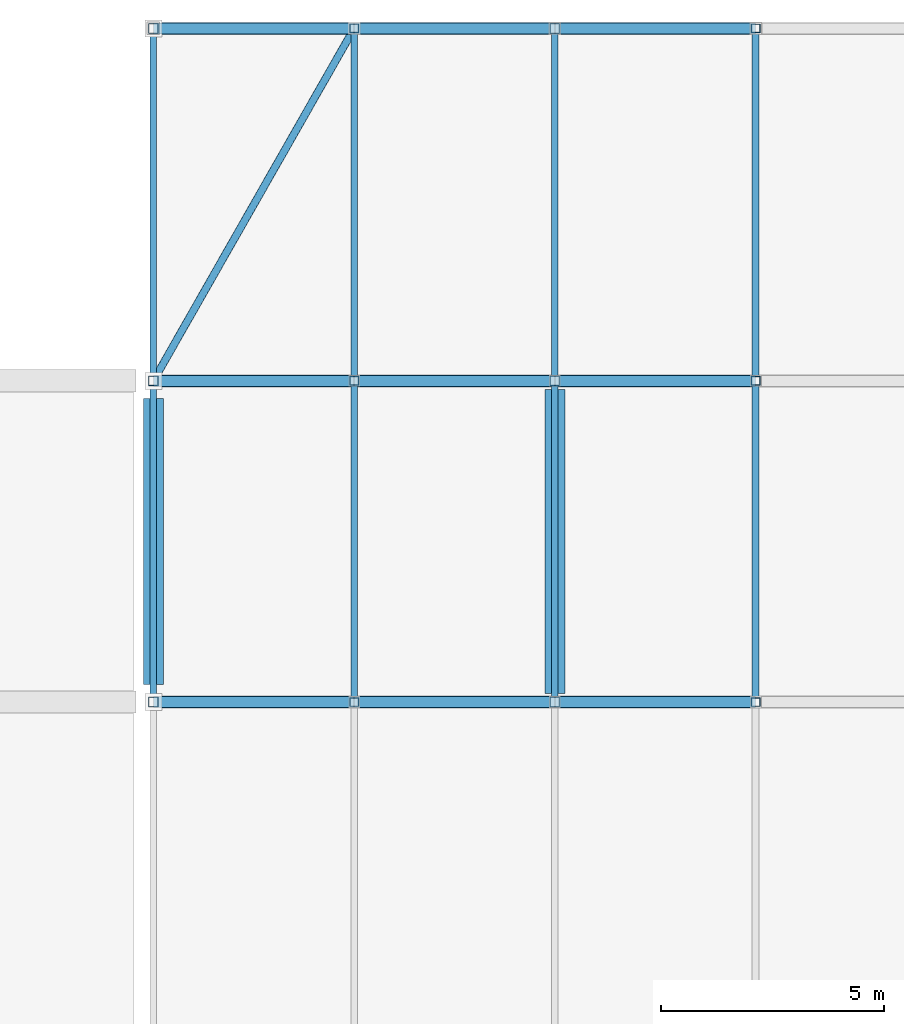
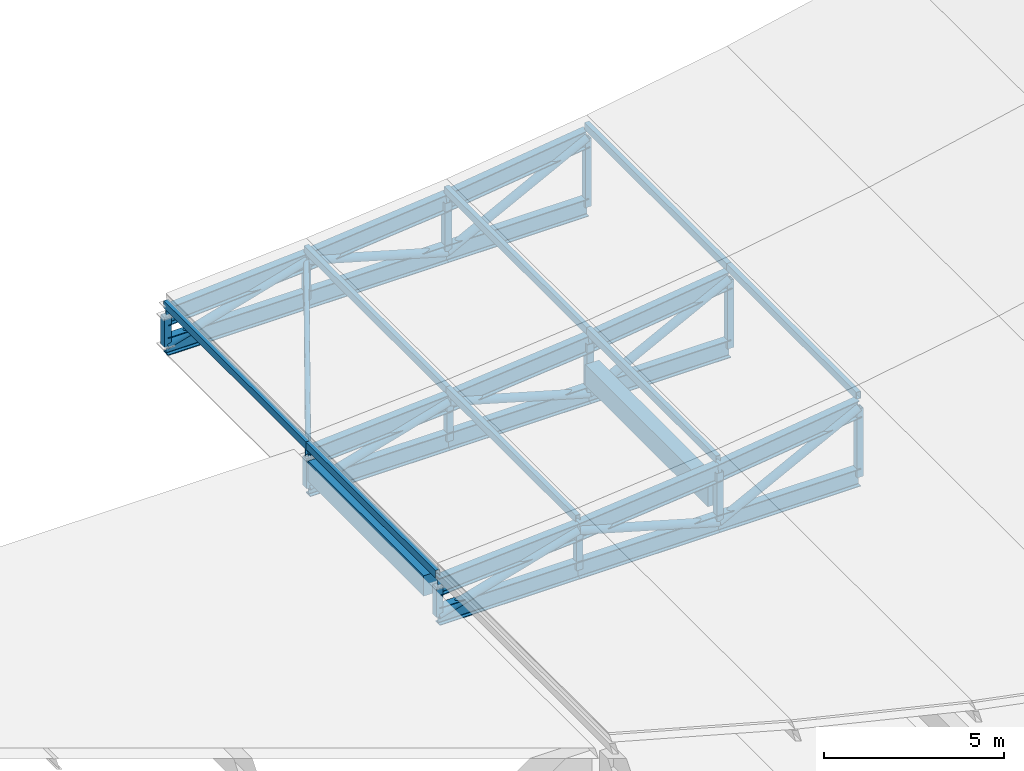
# One storey, part 15 of 24: 30 members, 20 beams.
"""IFC4 building model written with IfcOpenShell, lengths in metres."""

import ifcopenshell
import ifcopenshell.guid

model = None  # the IFC model being written
_history = None  # IfcOwnerHistory: only IFC2X3 demands one
_inside = {}  # id of a spatial element -> (the spatial element, [elements in it])
_under = {}  # id of a project, library or spatial element -> (it, [spatial elements below it])
_declared = {}  # id of a project -> (the project, [libraries it declares])
_typed = {}  # id of a type object -> (the type object, [elements of that type])
_made_of = {}  # id of a material, layer set ... -> (it, [elements and type objects made of it])


def new_model(schema):
    """Start an empty IFC model of exactly this schema.

    Asked for "IFC4X3", IfcOpenShell would pick the latest addendum, in which some entities
    have other attributes; the version numbers below select the first issue.
    IFC2X3 requires an IfcOwnerHistory on every rooted entity: one is made here for all.
    """
    global model, _history
    if schema == "IFC4X3":
        model = ifcopenshell.file(schema_version=(4, 3, 0, 0))
    else:
        model = ifcopenshell.file(schema=schema)
    _inside.clear()
    _under.clear()
    _declared.clear()
    _typed.clear()
    _made_of.clear()
    _history = None
    if model.schema == "IFC2X3":
        org = make("IfcOrganization", Name="unknown")
        user = make(
            "IfcPersonAndOrganization",
            ThePerson=make("IfcPerson", FamilyName="unknown"),
            TheOrganization=org,
        )
        app = make(
            "IfcApplication",
            ApplicationDeveloper=org,
            Version="unknown",
            ApplicationFullName="unknown",
            ApplicationIdentifier="unknown",
        )
        _history = make(
            "IfcOwnerHistory",
            OwningUser=user,
            OwningApplication=app,
            ChangeAction="ADDED",
            CreationDate=0,
        )
    return model


def make(cls, **values):
    """One entity of the class cls with the attributes given. An attribute that is None is left unset."""
    return model.create_entity(
        cls, **{name: value for name, value in values.items() if value is not None}
    )


def rooted(cls, **values):
    """An entity with a GlobalId (a new one), such as an element, a storey or a relation."""
    return make(cls, GlobalId=ifcopenshell.guid.new(), OwnerHistory=_history, **values)


def si_unit(unit_type, name, prefix=None):
    """IfcSIUnit, for example si_unit("LENGTHUNIT", "METRE", prefix="MILLI")."""
    return make("IfcSIUnit", UnitType=unit_type, Prefix=prefix, Name=name)


def assignment(units):
    """IfcUnitAssignment: the units of a project."""
    return None if units is None else make("IfcUnitAssignment", Units=units)


def point(xyz):
    """IfcCartesianPoint."""
    return None if xyz is None else make("IfcCartesianPoint", Coordinates=xyz)


def direction(xyz):
    """IfcDirection."""
    return None if xyz is None else make("IfcDirection", DirectionRatios=xyz)


def frame(location, z_axis=None, x_axis=None):
    """IfcAxis2Placement3D, a coordinate frame: its origin and axes. An axis left out is left unset."""
    return make(
        "IfcAxis2Placement3D",
        Location=point(location),
        Axis=direction(z_axis),
        RefDirection=direction(x_axis),
    )


def frame_2d(location, x_axis=None):
    """IfcAxis2Placement2D, a coordinate frame in the plane: its origin and x axis."""
    return make(
        "IfcAxis2Placement2D", Location=point(location), RefDirection=direction(x_axis)
    )


def origin():
    """The frame at (0, 0, 0) with its axes left unset."""
    return frame((0.0, 0.0, 0.0))


def origin_2d():
    """The frame at (0, 0) in the plane with its x axis left unset."""
    return frame_2d((0.0, 0.0))


def place(relative_to, where):
    """IfcLocalPlacement: puts the frame where relative to a parent placement (None: the world)."""
    return make(
        "IfcLocalPlacement", PlacementRelTo=relative_to, RelativePlacement=where
    )


def context(
    kind, dimensions, precision=None, world=None, true_north=None, identifier=None
):
    """IfcGeometricRepresentationContext, for example the 3D "Model" context."""
    return make(
        "IfcGeometricRepresentationContext",
        ContextIdentifier=identifier,
        ContextType=kind,
        CoordinateSpaceDimension=dimensions,
        Precision=precision,
        WorldCoordinateSystem=world,
        TrueNorth=true_north,
    )


def subcontext(parent, identifier, kind, view, scale=None):
    """IfcGeometricRepresentationSubContext, for example "Body" below "Model"."""
    return make(
        "IfcGeometricRepresentationSubContext",
        ContextIdentifier=identifier,
        ContextType=kind,
        ParentContext=parent,
        TargetScale=scale,
        TargetView=view,
    )


def project(units=None, contexts=None):
    """IfcProject with its units and contexts."""
    return rooted(
        "IfcProject",
        Name="project",
        RepresentationContexts=contexts,
        UnitsInContext=assignment(units),
    )


def spatial(cls, under=None, at=None, **own):
    """A site, building, storey or space (cls), placed at a placement, below another one or the project."""
    s = rooted(cls, ObjectPlacement=at, **own)
    if under is not None:
        _under.setdefault(under.id(), (under, []))[1].append(s)
    return s


def profile(cls, at=None, kind="AREA", **sizes):
    """A parametric profile (cls). Its sizes go by their IFC names, for example OverallWidth=200.0."""
    return make(cls, ProfileType=kind, Position=at, **sizes)


def rectangle(**sizes):
    """IfcRectangleProfileDef."""
    return profile("IfcRectangleProfileDef", **sizes)


def hollow_rectangle(**sizes):
    """IfcRectangleHollowProfileDef."""
    return profile("IfcRectangleHollowProfileDef", **sizes)


def hollow_circle(**sizes):
    """IfcCircleHollowProfileDef."""
    return profile("IfcCircleHollowProfileDef", **sizes)


def i_section(**sizes):
    """IfcIShapeProfileDef."""
    return profile("IfcIShapeProfileDef", **sizes)


def extrude(swept, where, along, depth):
    """IfcExtrudedAreaSolid: the profile swept, set in the frame where, extruded along a direction by depth."""
    return make(
        "IfcExtrudedAreaSolid",
        SweptArea=swept,
        Position=where,
        ExtrudedDirection=direction(along),
        Depth=depth,
    )


def shape(context_of_items, identifier, shape_type, items):
    """IfcShapeRepresentation: the items that make up one representation, for example the "Body"."""
    return make(
        "IfcShapeRepresentation",
        ContextOfItems=context_of_items,
        RepresentationIdentifier=identifier,
        RepresentationType=shape_type,
        Items=items,
    )


def material(Name=None, Category=None):
    """IfcMaterial."""
    return make("IfcMaterial", Name=Name, Category=Category)


def material_profile(
    of_material, cross_section, Name=None, Category=None, Priority=None
):
    """IfcMaterialProfile: a cross section and its material."""
    return make(
        "IfcMaterialProfile",
        Name=Name,
        Material=of_material,
        Profile=cross_section,
        Priority=Priority,
        Category=Category,
    )


def profile_set(profiles, Name=None, composite=None):
    """IfcMaterialProfileSet."""
    return make(
        "IfcMaterialProfileSet",
        Name=Name,
        MaterialProfiles=profiles,
        CompositeProfile=composite,
    )


def made_of(thing, what):
    """Note that an element or type object is made of a material, layer set ...; save() writes the relation."""
    if what is not None:
        _made_of.setdefault(what.id(), (what, []))[1].append(thing)
    return thing


def type_object(cls, material=None, **own):
    """A type object (cls), such as IfcWallType, which elements share."""
    return made_of(rooted(cls, **own), material)


def element(
    cls,
    number,
    at=None,
    inside=None,
    cuts=None,
    type_object=None,
    material=None,
    context=None,
    identifier="Body",
    shape_type=None,
    held_by="IfcProductDefinitionShape",
    body=None,
    shapes=None,
    **own,
):
    """One element of the class cls, such as IfcWall. Its Tag is "e" and its number.

    at: its placement. inside: the storey or other place that contains it. cuts: it is an
    opening in that element (IfcRelVoidsElement). A single representation is given by context,
    identifier, shape_type and body (its items); several are given by shapes. held_by: the class
    of the entity that holds the representations. save() writes the other relations.
    """
    e = rooted(cls, Tag="e%d" % number, ObjectPlacement=at, **own)
    if body is not None:
        shapes = [shape(context, identifier, shape_type, body)]
    if shapes is not None:
        e.Representation = make(held_by, Representations=shapes)
    if inside is not None:
        _inside.setdefault(inside.id(), (inside, []))[1].append(e)
    if cuts is not None:
        rooted(
            "IfcRelVoidsElement", RelatingBuildingElement=cuts, RelatedOpeningElement=e
        )
    if type_object is not None:
        _typed.setdefault(type_object.id(), (type_object, []))[1].append(e)
    return made_of(e, material)


def aggregate(whole, parts):
    """IfcRelAggregates: a whole, such as a stair, and the parts it consists of."""
    return rooted("IfcRelAggregates", RelatingObject=whole, RelatedObjects=parts)


def save(model, path):
    """Write the relations noted so far, then the file.

    IfcRelAggregates (storeys below a building ...), IfcRelContainedInSpatialStructure (elements
    in a storey), IfcRelDefinesByType, IfcRelAssociatesMaterial and IfcRelDeclares: one each for
    every whole, place, type object, material and project.
    """
    for whole, parts in _under.values():
        aggregate(whole, parts)
    for where, things in _inside.values():
        rooted(
            "IfcRelContainedInSpatialStructure",
            RelatedElements=things,
            RelatingStructure=where,
        )
    for kind, things in _typed.values():
        rooted("IfcRelDefinesByType", RelatedObjects=things, RelatingType=kind)
    for what, things in _made_of.values():
        rooted("IfcRelAssociatesMaterial", RelatedObjects=things, RelatingMaterial=what)
    for by, libraries in _declared.values():
        rooted("IfcRelDeclares", RelatingContext=by, RelatedDefinitions=libraries)
    model.write(path)


model = new_model("IFC4")

# Units and contexts
model_context = context("Model", 3, precision=1e-05, world=origin(), true_north=direction((0.0, 1.0)))
body_context = subcontext(model_context, "Body", "Model", "MODEL_VIEW")
ifc_project = project(units=[si_unit("LENGTHUNIT", "METRE"), si_unit("AREAUNIT", "SQUARE_METRE"), si_unit("VOLUMEUNIT", "CUBIC_METRE"), si_unit("PLANEANGLEUNIT", "RADIAN"), si_unit("MASSUNIT", "GRAM", prefix="KILO"), si_unit("THERMODYNAMICTEMPERATUREUNIT", "KELVIN"), si_unit("POWERUNIT", "WATT")], contexts=[model_context])

# Site, building, storey
site_placement = place(None, origin())
site = spatial("IfcSite", under=ifc_project, at=site_placement, CompositionType="ELEMENT")
building_placement = place(site_placement, origin())
building = spatial("IfcBuilding", under=site, at=building_placement, Name="Sindhuravela Promenade Stadium", CompositionType="ELEMENT")
storey_placement = place(building_placement, frame((0.0, 0.0, 28.800048828125)))
storey = spatial("IfcBuildingStorey", under=building, at=storey_placement, Name="RF", CompositionType="ELEMENT", Elevation=28.800048828125)

# Beams
ifc_material_1 = material(Name="Concrete M40", Category="concrete")
ifc_material_profile_1 = material_profile(ifc_material_1, rectangle(XDim=0.449951171875, YDim=0.699951171875, at=origin_2d()), Name="RC 450x700")
ifc_profile_set_1 = profile_set([ifc_material_profile_1], Name="Concrete M40")
beam_type_1 = type_object("IfcBeamType", Name="RC-BM-450x700", PredefinedType="BEAM", material=ifc_profile_set_1)
beam_1_placement = place(storey_placement, frame((18.0, 110.18994140625, -0.590087890625), z_axis=(0.0, 1.0, 0.0), x_axis=(-1.0, 0.0, 0.0)))
element("IfcBeam", 1, at=beam_1_placement, inside=storey, type_object=beam_type_1, Name="Primary beam GB07 WEST RF", PredefinedType="BEAM", context=body_context, shape_type="SweptSolid", body=[
    extrude(rectangle(XDim=0.449951171875, YDim=0.699951171875, at=origin_2d()), origin(), (0.0, 0.0, 1.0), 6.420166015625),
])
beam_2_placement = place(storey_placement, frame((27.0, 109.9931640625, -0.590087890625), z_axis=(0.0, 1.0, 0.0), x_axis=(-1.0, 0.0, 0.0)))
element("IfcBeam", 2, at=beam_2_placement, inside=storey, type_object=beam_type_1, Name="Primary beam GB07 WEST RF", PredefinedType="BEAM", context=body_context, shape_type="SweptSolid", body=[
    extrude(rectangle(XDim=0.449951171875, YDim=0.699951171875, at=origin_2d()), origin(), (0.0, 0.0, 1.0), 6.813720703125),
])
ifc_material_2 = material(Name="Steel E350 (IS 2062 E350BR)", Category="steel")
ifc_material_profile_2 = material_profile(ifc_material_2, i_section(OverallWidth=0.25, OverallDepth=0.60009765625, WebThickness=0.01171875, FlangeThickness=0.023681640625, FilletRadius=0.01708984375, at=origin_2d()), Name="ISWB 600")
ifc_profile_set_2 = profile_set([ifc_material_profile_2], Name="Steel E350 (IS 2062 E350BR)")
beam_type_2 = type_object("IfcBeamType", Name="ST-BM-WB600", PredefinedType="USERDEFINED", material=ifc_profile_set_2)
beam_3_placement = place(storey_placement, frame((18.0, 109.800048828125, -0.400146484375), z_axis=(0.9978804116779728, 0.0, 0.06507444958967683), x_axis=(0.0, 1.0, 0.0)))
element("IfcBeam", 3, at=beam_3_placement, inside=storey, type_object=beam_type_2, Name="Roof truss RT-W07 top chord 1", ObjectType="ROOF TRUSS", PredefinedType="USERDEFINED", context=body_context, shape_type="SweptSolid", body=[
    extrude(i_section(OverallWidth=0.25, OverallDepth=0.60009765625, WebThickness=0.01171875, FlangeThickness=0.023681640625, FilletRadius=0.01708984375, at=origin_2d()), origin(), (0.0, 0.0, 1.0), 4.509521484375),
])
beam_4_placement = place(storey_placement, frame((18.0, 109.800048828125, -1.400146484375), z_axis=(1.0, 0.0, 0.0), x_axis=(0.0, 1.0, 0.0)))
element("IfcBeam", 4, at=beam_4_placement, inside=storey, type_object=beam_type_2, Name="Roof truss RT-W07 bottom chord 1", ObjectType="ROOF TRUSS", PredefinedType="USERDEFINED", context=body_context, shape_type="SweptSolid", body=[
    extrude(i_section(OverallWidth=0.25, OverallDepth=0.60009765625, WebThickness=0.01171875, FlangeThickness=0.023681640625, FilletRadius=0.01708984375, at=origin_2d()), origin(), (0.0, 0.0, 1.0), 4.5),
])
beam_5_placement = place(storey_placement, frame((22.5, 109.800048828125, -0.106689453125), z_axis=(0.9953538541007115, 0.0, 0.09628450096905213), x_axis=(0.0, 1.0, 0.0)))
element("IfcBeam", 5, at=beam_5_placement, inside=storey, type_object=beam_type_2, Name="Roof truss RT-W07 top chord 2", ObjectType="ROOF TRUSS", PredefinedType="USERDEFINED", context=body_context, shape_type="SweptSolid", body=[
    extrude(i_section(OverallWidth=0.25, OverallDepth=0.60009765625, WebThickness=0.01171875, FlangeThickness=0.023681640625, FilletRadius=0.01708984375, at=origin_2d()), origin(), (0.0, 0.0, 1.0), 4.52099609375),
])
beam_6_placement = place(storey_placement, frame((22.5, 109.800048828125, -1.400146484375), z_axis=(1.0, 0.0, 0.0), x_axis=(0.0, 1.0, 0.0)))
element("IfcBeam", 6, at=beam_6_placement, inside=storey, type_object=beam_type_2, Name="Roof truss RT-W07 bottom chord 2", ObjectType="ROOF TRUSS", PredefinedType="USERDEFINED", context=body_context, shape_type="SweptSolid", body=[
    extrude(i_section(OverallWidth=0.25, OverallDepth=0.60009765625, WebThickness=0.01171875, FlangeThickness=0.023681640625, FilletRadius=0.01708984375, at=origin_2d()), origin(), (0.0, 0.0, 1.0), 4.5),
])
beam_7_placement = place(storey_placement, frame((27.0, 109.800048828125, 0.32861328125), z_axis=(0.9915324824363395, 0.0, 0.12985890910380443), x_axis=(0.0, 1.0, 0.0)))
element("IfcBeam", 7, at=beam_7_placement, inside=storey, type_object=beam_type_2, Name="Roof truss RT-W07 top chord 3", ObjectType="ROOF TRUSS", PredefinedType="USERDEFINED", context=body_context, shape_type="SweptSolid", body=[
    extrude(i_section(OverallWidth=0.25, OverallDepth=0.60009765625, WebThickness=0.01171875, FlangeThickness=0.023681640625, FilletRadius=0.01708984375, at=origin_2d()), origin(), (0.0, 0.0, 1.0), 4.538330078125),
])
beam_8_placement = place(storey_placement, frame((27.0, 109.800048828125, -1.400146484375), z_axis=(1.0, 0.0, 0.0), x_axis=(0.0, 1.0, 0.0)))
element("IfcBeam", 8, at=beam_8_placement, inside=storey, type_object=beam_type_2, Name="Roof truss RT-W07 bottom chord 3", ObjectType="ROOF TRUSS", PredefinedType="USERDEFINED", context=body_context, shape_type="SweptSolid", body=[
    extrude(i_section(OverallWidth=0.25, OverallDepth=0.60009765625, WebThickness=0.01171875, FlangeThickness=0.023681640625, FilletRadius=0.01708984375, at=origin_2d()), origin(), (0.0, 0.0, 1.0), 4.5),
])
beam_9_placement = place(storey_placement, frame((18.0, 117.0, -0.400146484375), z_axis=(0.9978804116779728, 0.0, 0.06507444958967683), x_axis=(0.0, 1.0, 0.0)))
element("IfcBeam", 9, at=beam_9_placement, inside=storey, type_object=beam_type_2, Name="Roof truss RT-W08 top chord 1", ObjectType="ROOF TRUSS", PredefinedType="USERDEFINED", context=body_context, shape_type="SweptSolid", body=[
    extrude(i_section(OverallWidth=0.25, OverallDepth=0.60009765625, WebThickness=0.01171875, FlangeThickness=0.023681640625, FilletRadius=0.01708984375, at=origin_2d()), origin(), (0.0, 0.0, 1.0), 4.509521484375),
])
beam_10_placement = place(storey_placement, frame((18.0, 117.0, -1.400146484375), z_axis=(1.0, 0.0, 0.0), x_axis=(0.0, 1.0, 0.0)))
element("IfcBeam", 10, at=beam_10_placement, inside=storey, type_object=beam_type_2, Name="Roof truss RT-W08 bottom chord 1", ObjectType="ROOF TRUSS", PredefinedType="USERDEFINED", context=body_context, shape_type="SweptSolid", body=[
    extrude(i_section(OverallWidth=0.25, OverallDepth=0.60009765625, WebThickness=0.01171875, FlangeThickness=0.023681640625, FilletRadius=0.01708984375, at=origin_2d()), origin(), (0.0, 0.0, 1.0), 4.5),
])
beam_11_placement = place(storey_placement, frame((22.5, 117.0, -0.106689453125), z_axis=(0.9953538541007115, 0.0, 0.09628450096905213), x_axis=(0.0, 1.0, 0.0)))
element("IfcBeam", 11, at=beam_11_placement, inside=storey, type_object=beam_type_2, Name="Roof truss RT-W08 top chord 2", ObjectType="ROOF TRUSS", PredefinedType="USERDEFINED", context=body_context, shape_type="SweptSolid", body=[
    extrude(i_section(OverallWidth=0.25, OverallDepth=0.60009765625, WebThickness=0.01171875, FlangeThickness=0.023681640625, FilletRadius=0.01708984375, at=origin_2d()), origin(), (0.0, 0.0, 1.0), 4.52099609375),
])
beam_12_placement = place(storey_placement, frame((22.5, 117.0, -1.400146484375), z_axis=(1.0, 0.0, 0.0), x_axis=(0.0, 1.0, 0.0)))
element("IfcBeam", 12, at=beam_12_placement, inside=storey, type_object=beam_type_2, Name="Roof truss RT-W08 bottom chord 2", ObjectType="ROOF TRUSS", PredefinedType="USERDEFINED", context=body_context, shape_type="SweptSolid", body=[
    extrude(i_section(OverallWidth=0.25, OverallDepth=0.60009765625, WebThickness=0.01171875, FlangeThickness=0.023681640625, FilletRadius=0.01708984375, at=origin_2d()), origin(), (0.0, 0.0, 1.0), 4.5),
])
beam_13_placement = place(storey_placement, frame((27.0, 117.0, 0.32861328125), z_axis=(0.9915324824363395, 0.0, 0.12985890910380443), x_axis=(0.0, 1.0, 0.0)))
element("IfcBeam", 13, at=beam_13_placement, inside=storey, type_object=beam_type_2, Name="Roof truss RT-W08 top chord 3", ObjectType="ROOF TRUSS", PredefinedType="USERDEFINED", context=body_context, shape_type="SweptSolid", body=[
    extrude(i_section(OverallWidth=0.25, OverallDepth=0.60009765625, WebThickness=0.01171875, FlangeThickness=0.023681640625, FilletRadius=0.01708984375, at=origin_2d()), origin(), (0.0, 0.0, 1.0), 4.538330078125),
])
beam_14_placement = place(storey_placement, frame((27.0, 117.0, -1.400146484375), z_axis=(1.0, 0.0, 0.0), x_axis=(0.0, 1.0, 0.0)))
element("IfcBeam", 14, at=beam_14_placement, inside=storey, type_object=beam_type_2, Name="Roof truss RT-W08 bottom chord 3", ObjectType="ROOF TRUSS", PredefinedType="USERDEFINED", context=body_context, shape_type="SweptSolid", body=[
    extrude(i_section(OverallWidth=0.25, OverallDepth=0.60009765625, WebThickness=0.01171875, FlangeThickness=0.023681640625, FilletRadius=0.01708984375, at=origin_2d()), origin(), (0.0, 0.0, 1.0), 4.5),
])
beam_15_placement = place(storey_placement, frame((18.0, 124.89990234375, -0.400146484375), z_axis=(0.9978804116779728, 0.0, 0.06507444958967683), x_axis=(0.0, 1.0, 0.0)))
element("IfcBeam", 15, at=beam_15_placement, inside=storey, type_object=beam_type_2, Name="Roof truss RT-W09 top chord 1", ObjectType="ROOF TRUSS", PredefinedType="USERDEFINED", context=body_context, shape_type="SweptSolid", body=[
    extrude(i_section(OverallWidth=0.25, OverallDepth=0.60009765625, WebThickness=0.01171875, FlangeThickness=0.023681640625, FilletRadius=0.01708984375, at=origin_2d()), origin(), (0.0, 0.0, 1.0), 4.509521484375),
])
beam_16_placement = place(storey_placement, frame((18.0, 124.89990234375, -1.400146484375), z_axis=(1.0, 0.0, 0.0), x_axis=(0.0, 1.0, 0.0)))
element("IfcBeam", 16, at=beam_16_placement, inside=storey, type_object=beam_type_2, Name="Roof truss RT-W09 bottom chord 1", ObjectType="ROOF TRUSS", PredefinedType="USERDEFINED", context=body_context, shape_type="SweptSolid", body=[
    extrude(i_section(OverallWidth=0.25, OverallDepth=0.60009765625, WebThickness=0.01171875, FlangeThickness=0.023681640625, FilletRadius=0.01708984375, at=origin_2d()), origin(), (0.0, 0.0, 1.0), 4.5),
])
beam_17_placement = place(storey_placement, frame((22.5, 124.89990234375, -0.106689453125), z_axis=(0.9953538541007115, 0.0, 0.09628450096905213), x_axis=(0.0, 1.0, 0.0)))
element("IfcBeam", 17, at=beam_17_placement, inside=storey, type_object=beam_type_2, Name="Roof truss RT-W09 top chord 2", ObjectType="ROOF TRUSS", PredefinedType="USERDEFINED", context=body_context, shape_type="SweptSolid", body=[
    extrude(i_section(OverallWidth=0.25, OverallDepth=0.60009765625, WebThickness=0.01171875, FlangeThickness=0.023681640625, FilletRadius=0.01708984375, at=origin_2d()), origin(), (0.0, 0.0, 1.0), 4.52099609375),
])
beam_18_placement = place(storey_placement, frame((22.5, 124.89990234375, -1.400146484375), z_axis=(1.0, 0.0, 0.0), x_axis=(0.0, 1.0, 0.0)))
element("IfcBeam", 18, at=beam_18_placement, inside=storey, type_object=beam_type_2, Name="Roof truss RT-W09 bottom chord 2", ObjectType="ROOF TRUSS", PredefinedType="USERDEFINED", context=body_context, shape_type="SweptSolid", body=[
    extrude(i_section(OverallWidth=0.25, OverallDepth=0.60009765625, WebThickness=0.01171875, FlangeThickness=0.023681640625, FilletRadius=0.01708984375, at=origin_2d()), origin(), (0.0, 0.0, 1.0), 4.5),
])
beam_19_placement = place(storey_placement, frame((27.0, 124.89990234375, 0.32861328125), z_axis=(0.9915324824363395, 0.0, 0.12985890910380443), x_axis=(0.0, 1.0, 0.0)))
element("IfcBeam", 19, at=beam_19_placement, inside=storey, type_object=beam_type_2, Name="Roof truss RT-W09 top chord 3", ObjectType="ROOF TRUSS", PredefinedType="USERDEFINED", context=body_context, shape_type="SweptSolid", body=[
    extrude(i_section(OverallWidth=0.25, OverallDepth=0.60009765625, WebThickness=0.01171875, FlangeThickness=0.023681640625, FilletRadius=0.01708984375, at=origin_2d()), origin(), (0.0, 0.0, 1.0), 4.538330078125),
])
beam_20_placement = place(storey_placement, frame((27.0, 124.89990234375, -1.400146484375), z_axis=(1.0, 0.0, 0.0), x_axis=(0.0, 1.0, 0.0)))
element("IfcBeam", 20, at=beam_20_placement, inside=storey, type_object=beam_type_2, Name="Roof truss RT-W09 bottom chord 3", ObjectType="ROOF TRUSS", PredefinedType="USERDEFINED", context=body_context, shape_type="SweptSolid", body=[
    extrude(i_section(OverallWidth=0.25, OverallDepth=0.60009765625, WebThickness=0.01171875, FlangeThickness=0.023681640625, FilletRadius=0.01708984375, at=origin_2d()), origin(), (0.0, 0.0, 1.0), 4.5),
])

# Members
ifc_material_profile_3 = material_profile(ifc_material_2, hollow_circle(Radius=0.084228515625, WallThickness=0.008056640625, at=origin_2d()), Name="CHS 168.3x8")
ifc_profile_set_3 = profile_set([ifc_material_profile_3], Name="Steel E350 (IS 2062 E350BR)")
member_type_1 = type_object("IfcMemberType", Name="ST-MB-CHS168", PredefinedType="BRACE", material=ifc_profile_set_3)
member_1_placement = place(storey_placement, frame((18.0, 117.0, -0.400146484375), z_axis=(0.49470095801059943, 0.86846427947629, 0.032260772109849206), x_axis=(-0.8689165628650795, 0.4949585909737667, 0.0)))
element("IfcMember", 21, at=member_1_placement, inside=storey, type_object=member_type_1, Name="Roof wind brace MB03 W bay 8", PredefinedType="BRACE", context=body_context, shape_type="SweptSolid", body=[
    extrude(hollow_circle(Radius=0.084228515625, WallThickness=0.008056640625, at=origin_2d()), origin(), (0.0, 0.0, 1.0), 9.096435546875),
])
ifc_material_profile_4 = material_profile(ifc_material_2, hollow_circle(Radius=0.136474609375, WallThickness=0.010009765625, at=origin_2d()), Name="CHS 273.0x10")
ifc_profile_set_4 = profile_set([ifc_material_profile_4], Name="Steel E350 (IS 2062 E350BR)")
member_type_2 = type_object("IfcMemberType", Name="ST-MB-CHS273", PredefinedType="BRACE", material=ifc_profile_set_4)
for number, where, z_axis, x_axis, name in (
    (22, (18.0, 109.800048828125, -1.400146484375), (0.9610859178775457, 0.0, 0.2762496306920159), (0.0, 1.0, 0.0), "Roof truss RT-W07 diagonal web 1"),
    (23, (22.5, 109.800048828125, -0.106689453125), (0.9610859178775457, 0.0, -0.2762496306920159), (0.0, 1.0, 0.0), "Roof truss RT-W07 diagonal web 2"),
):
    element("IfcMember", number, at=place(storey_placement, frame(where, z_axis=z_axis, x_axis=x_axis)), inside=storey, type_object=member_type_2, Name=name, PredefinedType="BRACE", context=body_context, shape_type="SweptSolid", body=[
        extrude(hollow_circle(Radius=0.136474609375, WallThickness=0.010009765625, at=origin_2d()), origin(), (0.0, 0.0, 1.0), 4.68212890625),
    ])
member_2_placement = place(storey_placement, frame((27.0, 109.800048828125, -1.400146484375), z_axis=(0.8889799113932431, 0.0, 0.457946194589781), x_axis=(0.0, 1.0, 0.0)))
element("IfcMember", 24, at=member_2_placement, inside=storey, type_object=member_type_2, Name="Roof truss RT-W07 diagonal web 3", PredefinedType="BRACE", context=body_context, shape_type="SweptSolid", body=[
    extrude(hollow_circle(Radius=0.136474609375, WallThickness=0.010009765625, at=origin_2d()), origin(), (0.0, 0.0, 1.0), 5.06201171875),
])
for number, where, z_axis, x_axis, name in (
    (25, (18.0, 117.0, -1.400146484375), (0.9610859178775457, 0.0, 0.2762496306920159), (0.0, 1.0, 0.0), "Roof truss RT-W08 diagonal web 1"),
    (26, (22.5, 117.0, -0.106689453125), (0.9610859178775457, 0.0, -0.2762496306920159), (0.0, 1.0, 0.0), "Roof truss RT-W08 diagonal web 2"),
):
    element("IfcMember", number, at=place(storey_placement, frame(where, z_axis=z_axis, x_axis=x_axis)), inside=storey, type_object=member_type_2, Name=name, PredefinedType="BRACE", context=body_context, shape_type="SweptSolid", body=[
        extrude(hollow_circle(Radius=0.136474609375, WallThickness=0.010009765625, at=origin_2d()), origin(), (0.0, 0.0, 1.0), 4.68212890625),
    ])
member_3_placement = place(storey_placement, frame((27.0, 117.0, -1.400146484375), z_axis=(0.8889799113932431, 0.0, 0.457946194589781), x_axis=(0.0, 1.0, 0.0)))
element("IfcMember", 27, at=member_3_placement, inside=storey, type_object=member_type_2, Name="Roof truss RT-W08 diagonal web 3", PredefinedType="BRACE", context=body_context, shape_type="SweptSolid", body=[
    extrude(hollow_circle(Radius=0.136474609375, WallThickness=0.010009765625, at=origin_2d()), origin(), (0.0, 0.0, 1.0), 5.06201171875),
])
for number, where, z_axis, x_axis, name in (
    (28, (18.0, 124.89990234375, -1.400146484375), (0.9610859178775457, 0.0, 0.2762496306920159), (0.0, 1.0, 0.0), "Roof truss RT-W09 diagonal web 1"),
    (29, (22.5, 124.89990234375, -0.106689453125), (0.9610859178775457, 0.0, -0.2762496306920159), (0.0, 1.0, 0.0), "Roof truss RT-W09 diagonal web 2"),
):
    element("IfcMember", number, at=place(storey_placement, frame(where, z_axis=z_axis, x_axis=x_axis)), inside=storey, type_object=member_type_2, Name=name, PredefinedType="BRACE", context=body_context, shape_type="SweptSolid", body=[
        extrude(hollow_circle(Radius=0.136474609375, WallThickness=0.010009765625, at=origin_2d()), origin(), (0.0, 0.0, 1.0), 4.68212890625),
    ])
member_4_placement = place(storey_placement, frame((27.0, 124.89990234375, -1.400146484375), z_axis=(0.8889799113932431, 0.0, 0.457946194589781), x_axis=(0.0, 1.0, 0.0)))
element("IfcMember", 30, at=member_4_placement, inside=storey, type_object=member_type_2, Name="Roof truss RT-W09 diagonal web 3", PredefinedType="BRACE", context=body_context, shape_type="SweptSolid", body=[
    extrude(hollow_circle(Radius=0.136474609375, WallThickness=0.010009765625, at=origin_2d()), origin(), (0.0, 0.0, 1.0), 5.06201171875),
])
ifc_material_profile_5 = material_profile(ifc_material_2, hollow_rectangle(XDim=0.14990234375, YDim=0.25, WallThickness=0.010009765625, at=origin_2d()), Name="RHS 250x150x10")
ifc_profile_set_5 = profile_set([ifc_material_profile_5], Name="Steel E350 (IS 2062 E350BR)")
member_type_3 = type_object("IfcMemberType", Name="ST-MB-RHS250", PredefinedType="PURLIN", material=ifc_profile_set_5)
for number, where, z_axis, x_axis, name in (
    (31, (18.0, 109.800048828125, -0.008056640625), (0.0, 1.0, 0.0), (-1.0, 0.0, 0.0), "Roof purlin PR01 W bay 7.1"),
    (32, (22.5, 109.800048828125, 0.28515625), (0.0, 1.0, 0.0), (-1.0, 0.0, 0.0), "Roof purlin PR01 W bay 7.2"),
    (33, (27.0, 109.800048828125, 0.720703125), (0.0, 1.0, 0.0), (-1.0, 0.0, 0.0), "Roof purlin PR01 W bay 7.3"),
    (34, (31.5, 109.800048828125, 1.31005859375), (0.0, 1.0, 0.0), (-1.0, 0.0, 0.0), "Roof purlin PR01 W bay 7.4"),
):
    element("IfcMember", number, at=place(storey_placement, frame(where, z_axis=z_axis, x_axis=x_axis)), inside=storey, type_object=member_type_3, Name=name, PredefinedType="PURLIN", context=body_context, shape_type="SweptSolid", body=[
        extrude(hollow_rectangle(XDim=0.14990234375, YDim=0.25, WallThickness=0.010009765625, at=origin_2d()), origin(), (0.0, 0.0, 1.0), 7.199951171875),
    ])
for number, where, z_axis, x_axis, name in (
    (35, (18.0, 117.0, -0.008056640625), (0.0, 1.0, 0.0), (-1.0, 0.0, 0.0), "Roof purlin PR01 W bay 8.1"),
    (36, (22.5, 117.0, 0.28515625), (0.0, 1.0, 0.0), (-1.0, 0.0, 0.0), "Roof purlin PR01 W bay 8.2"),
    (37, (27.0, 117.0, 0.720703125), (0.0, 1.0, 0.0), (-1.0, 0.0, 0.0), "Roof purlin PR01 W bay 8.3"),
    (38, (31.5, 117.0, 1.31005859375), (0.0, 1.0, 0.0), (-1.0, 0.0, 0.0), "Roof purlin PR01 W bay 8.4"),
):
    element("IfcMember", number, at=place(storey_placement, frame(where, z_axis=z_axis, x_axis=x_axis)), inside=storey, type_object=member_type_3, Name=name, PredefinedType="PURLIN", context=body_context, shape_type="SweptSolid", body=[
        extrude(hollow_rectangle(XDim=0.14990234375, YDim=0.25, WallThickness=0.010009765625, at=origin_2d()), origin(), (0.0, 0.0, 1.0), 7.89990234375),
    ])
ifc_material_profile_6 = material_profile(ifc_material_2, hollow_rectangle(XDim=0.199951171875, YDim=0.199951171875, WallThickness=0.010009765625, at=origin_2d()), Name="SHS 200x200x10")
ifc_profile_set_6 = profile_set([ifc_material_profile_6], Name="Steel E350 (IS 2062 E350BR)")
member_type_4 = type_object("IfcMemberType", Name="ST-MB-SHS200", PredefinedType="POST", material=ifc_profile_set_6)
member_5_placement = place(storey_placement, frame((22.5, 109.800048828125, -1.400146484375), z_axis=(0.0, 0.0, 1.0), x_axis=(1.0, 0.0, 0.0)))
element("IfcMember", 39, at=member_5_placement, inside=storey, type_object=member_type_4, Name="Roof truss RT-W07 vertical post 2", PredefinedType="POST", context=body_context, shape_type="SweptSolid", body=[
    extrude(hollow_rectangle(XDim=0.199951171875, YDim=0.199951171875, WallThickness=0.010009765625, at=origin_2d()), origin(), (0.0, 0.0, 1.0), 1.29345703125),
])
member_6_placement = place(storey_placement, frame((31.5, 109.800048828125, -1.400146484375), z_axis=(0.0, 0.0, 1.0), x_axis=(1.0, 0.0, 0.0)))
element("IfcMember", 40, at=member_6_placement, inside=storey, type_object=member_type_4, Name="Roof truss RT-W07 vertical post 4", PredefinedType="POST", context=body_context, shape_type="SweptSolid", body=[
    extrude(hollow_rectangle(XDim=0.199951171875, YDim=0.199951171875, WallThickness=0.010009765625, at=origin_2d()), origin(), (0.0, 0.0, 1.0), 2.318115234375),
])
member_7_placement = place(storey_placement, frame((22.5, 117.0, -1.400146484375), z_axis=(0.0, 0.0, 1.0), x_axis=(1.0, 0.0, 0.0)))
element("IfcMember", 41, at=member_7_placement, inside=storey, type_object=member_type_4, Name="Roof truss RT-W08 vertical post 2", PredefinedType="POST", context=body_context, shape_type="SweptSolid", body=[
    extrude(hollow_rectangle(XDim=0.199951171875, YDim=0.199951171875, WallThickness=0.010009765625, at=origin_2d()), origin(), (0.0, 0.0, 1.0), 1.29345703125),
])
member_8_placement = place(storey_placement, frame((31.5, 117.0, -1.400146484375), z_axis=(0.0, 0.0, 1.0), x_axis=(1.0, 0.0, 0.0)))
element("IfcMember", 42, at=member_8_placement, inside=storey, type_object=member_type_4, Name="Roof truss RT-W08 vertical post 4", PredefinedType="POST", context=body_context, shape_type="SweptSolid", body=[
    extrude(hollow_rectangle(XDim=0.199951171875, YDim=0.199951171875, WallThickness=0.010009765625, at=origin_2d()), origin(), (0.0, 0.0, 1.0), 2.318115234375),
])
member_9_placement = place(storey_placement, frame((22.5, 124.89990234375, -1.400146484375), z_axis=(0.0, 0.0, 1.0), x_axis=(1.0, 0.0, 0.0)))
element("IfcMember", 43, at=member_9_placement, inside=storey, type_object=member_type_4, Name="Roof truss RT-W09 vertical post 2", PredefinedType="POST", context=body_context, shape_type="SweptSolid", body=[
    extrude(hollow_rectangle(XDim=0.199951171875, YDim=0.199951171875, WallThickness=0.010009765625, at=origin_2d()), origin(), (0.0, 0.0, 1.0), 1.29345703125),
])
member_10_placement = place(storey_placement, frame((31.5, 124.89990234375, -1.400146484375), z_axis=(0.0, 0.0, 1.0), x_axis=(1.0, 0.0, 0.0)))
element("IfcMember", 44, at=member_10_placement, inside=storey, type_object=member_type_4, Name="Roof truss RT-W09 vertical post 4", PredefinedType="POST", context=body_context, shape_type="SweptSolid", body=[
    extrude(hollow_rectangle(XDim=0.199951171875, YDim=0.199951171875, WallThickness=0.010009765625, at=origin_2d()), origin(), (0.0, 0.0, 1.0), 2.318115234375),
])
ifc_material_profile_7 = material_profile(ifc_material_2, hollow_rectangle(XDim=0.219970703125, YDim=0.219970703125, WallThickness=0.011962890625, at=origin_2d()), Name="SHS 220x220x12")
ifc_profile_set_7 = profile_set([ifc_material_profile_7], Name="Steel E350 (IS 2062 E350BR)")
member_type_5 = type_object("IfcMemberType", Name="ST-MB-SHS220", PredefinedType="POST", material=ifc_profile_set_7)
member_11_placement = place(storey_placement, frame((18.0, 109.800048828125, -1.400146484375), z_axis=(0.0, 0.0, 1.0), x_axis=(1.0, 0.0, 0.0)))
element("IfcMember", 45, at=member_11_placement, inside=storey, type_object=member_type_5, Name="Roof truss RT-W07 vertical post 1", PredefinedType="POST", context=body_context, shape_type="SweptSolid", body=[
    extrude(hollow_rectangle(XDim=0.219970703125, YDim=0.219970703125, WallThickness=0.011962890625, at=origin_2d()), origin(), (0.0, 0.0, 1.0), 1.0),
])
member_12_placement = place(storey_placement, frame((27.0, 109.800048828125, -1.400146484375), z_axis=(0.0, 0.0, 1.0), x_axis=(1.0, 0.0, 0.0)))
element("IfcMember", 46, at=member_12_placement, inside=storey, type_object=member_type_5, Name="Roof truss RT-W07 vertical post 3", PredefinedType="POST", context=body_context, shape_type="SweptSolid", body=[
    extrude(hollow_rectangle(XDim=0.219970703125, YDim=0.219970703125, WallThickness=0.011962890625, at=origin_2d()), origin(), (0.0, 0.0, 1.0), 1.728759765625),
])
member_13_placement = place(storey_placement, frame((18.0, 117.0, -1.400146484375), z_axis=(0.0, 0.0, 1.0), x_axis=(1.0, 0.0, 0.0)))
element("IfcMember", 47, at=member_13_placement, inside=storey, type_object=member_type_5, Name="Roof truss RT-W08 vertical post 1", PredefinedType="POST", context=body_context, shape_type="SweptSolid", body=[
    extrude(hollow_rectangle(XDim=0.219970703125, YDim=0.219970703125, WallThickness=0.011962890625, at=origin_2d()), origin(), (0.0, 0.0, 1.0), 1.0),
])
member_14_placement = place(storey_placement, frame((27.0, 117.0, -1.400146484375), z_axis=(0.0, 0.0, 1.0), x_axis=(1.0, 0.0, 0.0)))
element("IfcMember", 48, at=member_14_placement, inside=storey, type_object=member_type_5, Name="Roof truss RT-W08 vertical post 3", PredefinedType="POST", context=body_context, shape_type="SweptSolid", body=[
    extrude(hollow_rectangle(XDim=0.219970703125, YDim=0.219970703125, WallThickness=0.011962890625, at=origin_2d()), origin(), (0.0, 0.0, 1.0), 1.728759765625),
])
member_15_placement = place(storey_placement, frame((18.0, 124.89990234375, -1.400146484375), z_axis=(0.0, 0.0, 1.0), x_axis=(1.0, 0.0, 0.0)))
element("IfcMember", 49, at=member_15_placement, inside=storey, type_object=member_type_5, Name="Roof truss RT-W09 vertical post 1", PredefinedType="POST", context=body_context, shape_type="SweptSolid", body=[
    extrude(hollow_rectangle(XDim=0.219970703125, YDim=0.219970703125, WallThickness=0.011962890625, at=origin_2d()), origin(), (0.0, 0.0, 1.0), 1.0),
])
member_16_placement = place(storey_placement, frame((27.0, 124.89990234375, -1.400146484375), z_axis=(0.0, 0.0, 1.0), x_axis=(1.0, 0.0, 0.0)))
element("IfcMember", 50, at=member_16_placement, inside=storey, type_object=member_type_5, Name="Roof truss RT-W09 vertical post 3", PredefinedType="POST", context=body_context, shape_type="SweptSolid", body=[
    extrude(hollow_rectangle(XDim=0.219970703125, YDim=0.219970703125, WallThickness=0.011962890625, at=origin_2d()), origin(), (0.0, 0.0, 1.0), 1.728759765625),
])

save(model, "model.ifc")
